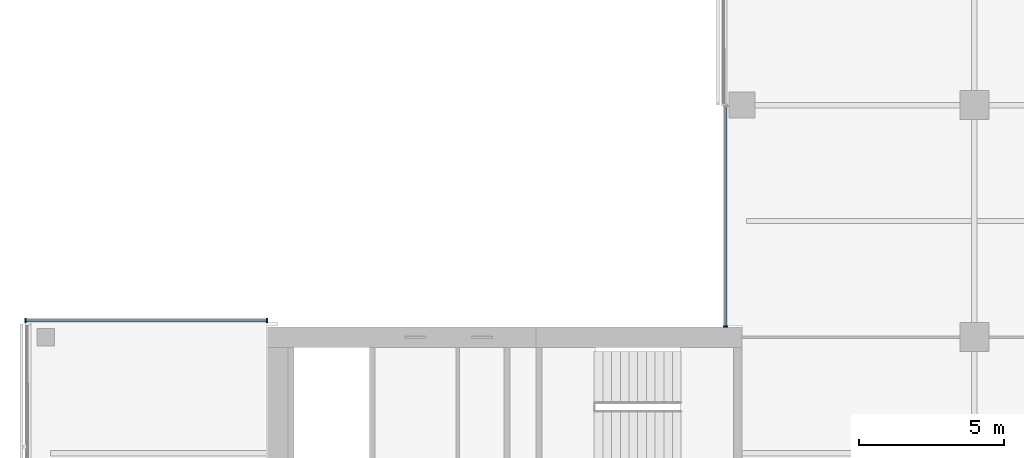
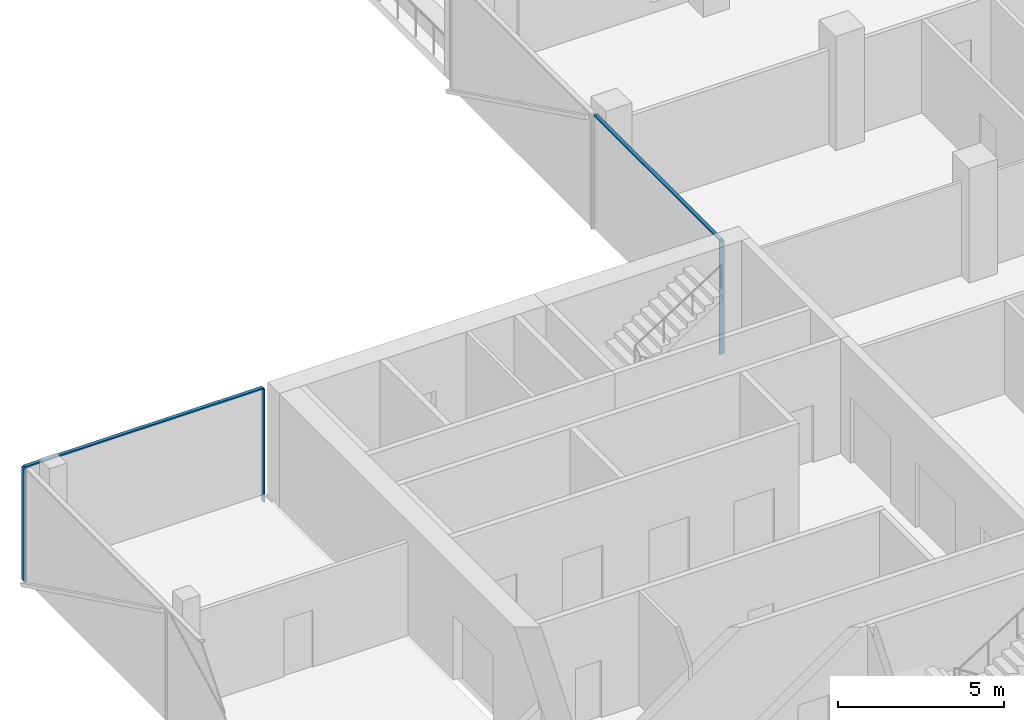
# One storey, part 8 of 24: 5 members, 2 elements without a shape of their own.
"""IFC4 building model written with IfcOpenShell, lengths in metres."""

from ifc_helpers import new_model, si_unit, direction, frame, origin, origin_2d, place, context, subcontext, project, spatial, rectangle, extrude, material, material_profile, profile_set, type_object, element, aggregate, save


model = new_model("IFC4")

# Units and contexts
model_context = context("Model", 3, precision=1e-05, world=origin(), true_north=direction((0.0, 1.0)))
body_context = subcontext(model_context, "Body", "Model", "MODEL_VIEW")
ifc_project = project(units=[si_unit("LENGTHUNIT", "METRE"), si_unit("AREAUNIT", "SQUARE_METRE"), si_unit("VOLUMEUNIT", "CUBIC_METRE"), si_unit("PLANEANGLEUNIT", "RADIAN"), si_unit("MASSUNIT", "GRAM", prefix="KILO")], contexts=[model_context])

# Site, building, storey
site_placement = place(None, origin())
site = spatial("IfcSite", under=ifc_project, at=site_placement, CompositionType="ELEMENT")
building_placement = place(site_placement, origin())
building = spatial("IfcBuilding", under=site, at=building_placement, Name="Crosswind Convention Tower", CompositionType="ELEMENT")
storey_placement = place(building_placement, frame((0.0, 0.0, 112.699951171875)))
storey = spatial("IfcBuildingStorey", under=building, at=storey_placement, Name="L22", CompositionType="ELEMENT", Elevation=112.699951171875)

# Curtain wall, member
ifc_material_1 = material(Name="Aluminium unitised curtain wall", Category="aluminium")
curtain_wall_type = type_object("IfcCurtainWallType", Name="CORE END SLOT WALL 160", PredefinedType="USERDEFINED", material=ifc_material_1)
curtain_wall_1_placement = place(storey_placement, origin())
curtain_wall_1 = element("IfcCurtainWall", 1, at=curtain_wall_1_placement, inside=storey, type_object=curtain_wall_type, Name="CW6 L22 N-W.1-2 slot", ObjectType="UNITISED", PredefinedType="USERDEFINED")
ifc_material_2 = material(Name="Aluminium mullion", Category="aluminium")
ifc_material_profile_1 = material_profile(ifc_material_2, rectangle(XDim=0.159912109375, YDim=0.050048828125, at=origin_2d()), Name="AL 160X50")
ifc_profile_set_1 = profile_set([ifc_material_profile_1], Name="Aluminium mullion")
member_type_1 = type_object("IfcMemberType", Name="MULLION 50X160", PredefinedType="MULLION", material=ifc_profile_set_1)
member_1_placement = place(storey_placement, frame((112.419921875, 112.375, -0.300048828125), z_axis=(0.0, 0.0, 1.0), x_axis=(-1.0, 0.0, 0.0)))
member_1 = element("IfcMember", 2, at=member_1_placement, type_object=member_type_1, Name="CW6 mullion 2", PredefinedType="MULLION", context=body_context, shape_type="SweptSolid", body=[
    extrude(rectangle(XDim=0.159912109375, YDim=0.050048828125, at=origin_2d()), origin(), (0.0, 0.0, 1.0), 4.150146484375),
])

# Curtain wall, members
curtain_wall_2_placement = place(storey_placement, origin())
curtain_wall_2 = element("IfcCurtainWall", 3, at=curtain_wall_2_placement, inside=storey, type_object=curtain_wall_type, Name="CW6 L22 W-N.2-1 slot", ObjectType="UNITISED", PredefinedType="USERDEFINED")
member_2_placement = place(storey_placement, frame((96.625, 112.580078125, -0.300048828125), z_axis=(0.0, 0.0, 1.0), x_axis=(0.0, 1.0, 0.0)))
member_2 = element("IfcMember", 4, at=member_2_placement, type_object=member_type_1, Name="CW6 mullion 1", PredefinedType="MULLION", context=body_context, shape_type="SweptSolid", body=[
    extrude(rectangle(XDim=0.159912109375, YDim=0.050048828125, at=origin_2d()), origin(), (0.0, 0.0, 1.0), 4.150146484375),
])
member_3_placement = place(storey_placement, frame((88.304931640625, 112.580078125, -0.300048828125), z_axis=(0.0, 0.0, 1.0), x_axis=(0.0, 1.0, 0.0)))
member_3 = element("IfcMember", 5, at=member_3_placement, type_object=member_type_1, Name="CW6 mullion 2", PredefinedType="MULLION", context=body_context, shape_type="SweptSolid", body=[
    extrude(rectangle(XDim=0.159912109375, YDim=0.050048828125, at=origin_2d()), origin(), (0.0, 0.0, 1.0), 4.150146484375),
])

# Member
ifc_material_3 = material(Name="Aluminium transom", Category="aluminium")
ifc_material_profile_2 = material_profile(ifc_material_3, rectangle(XDim=0.1201171875, YDim=0.050048828125, at=origin_2d()), Name="AL 120X50")
ifc_profile_set_2 = profile_set([ifc_material_profile_2], Name="Aluminium transom")
member_type_2 = type_object("IfcMemberType", Name="TRANSOM 50X120", PredefinedType="USERDEFINED", material=ifc_profile_set_2)
member_4_placement = place(storey_placement, frame((112.419921875, 119.949951171875, 3.875), z_axis=(0.0, -1.0, 0.0), x_axis=(1.0, 0.0, 0.0)))
member_4 = element("IfcMember", 6, at=member_4_placement, type_object=member_type_2, Name="CW6 transom", ObjectType="TRANSOM", PredefinedType="USERDEFINED", context=body_context, shape_type="SweptSolid", body=[
    extrude(rectangle(XDim=0.1201171875, YDim=0.050048828125, at=origin_2d()), origin(), (0.0, 0.0, 1.0), 7.550048828125),
])

aggregate(curtain_wall_1, [member_1, member_4])

member_5_placement = place(storey_placement, frame((96.60009765625, 112.580078125, 3.875), z_axis=(-1.0, 0.0, 0.0), x_axis=(0.0, -1.0, 0.0)))
member_5 = element("IfcMember", 7, at=member_5_placement, type_object=member_type_2, Name="CW6 transom", ObjectType="TRANSOM", PredefinedType="USERDEFINED", context=body_context, shape_type="SweptSolid", body=[
    extrude(rectangle(XDim=0.1201171875, YDim=0.050048828125, at=origin_2d()), origin(), (0.0, 0.0, 1.0), 8.27001953125),
])

aggregate(curtain_wall_2, [member_2, member_3, member_5])

save(model, "model.ifc")
